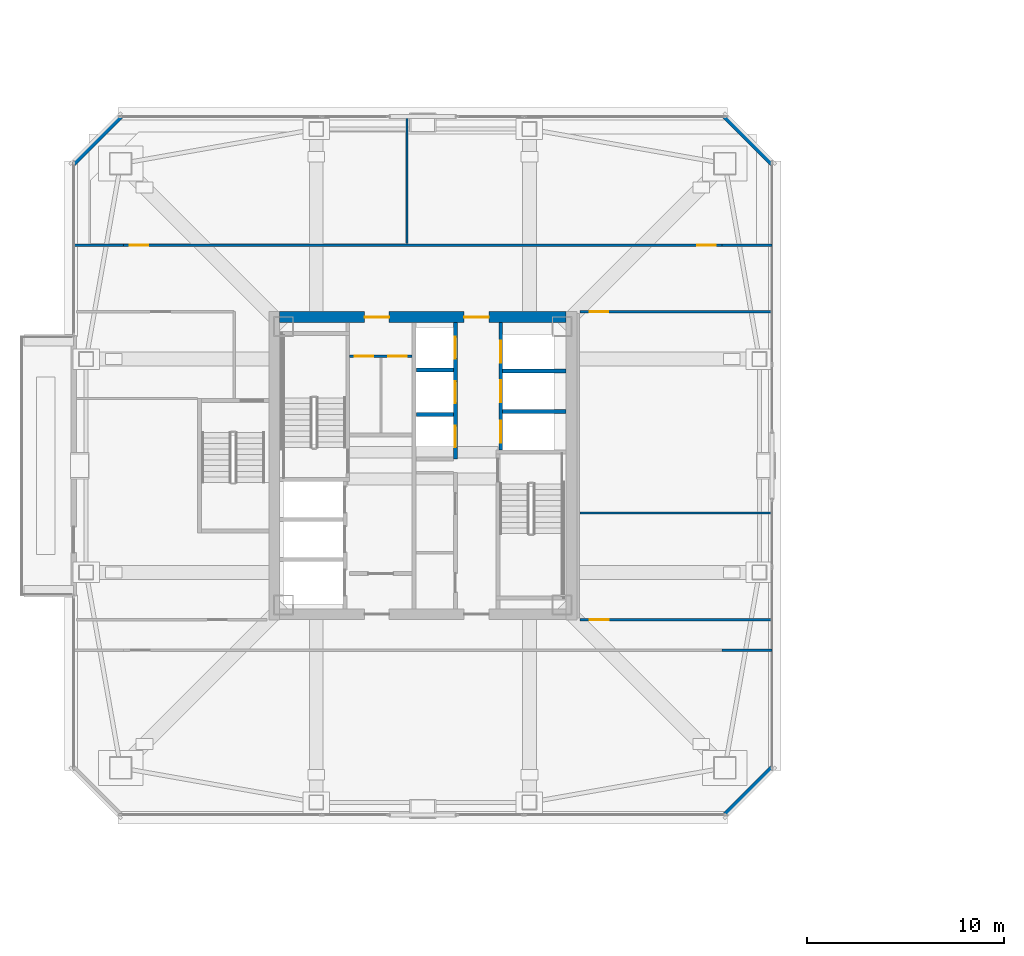
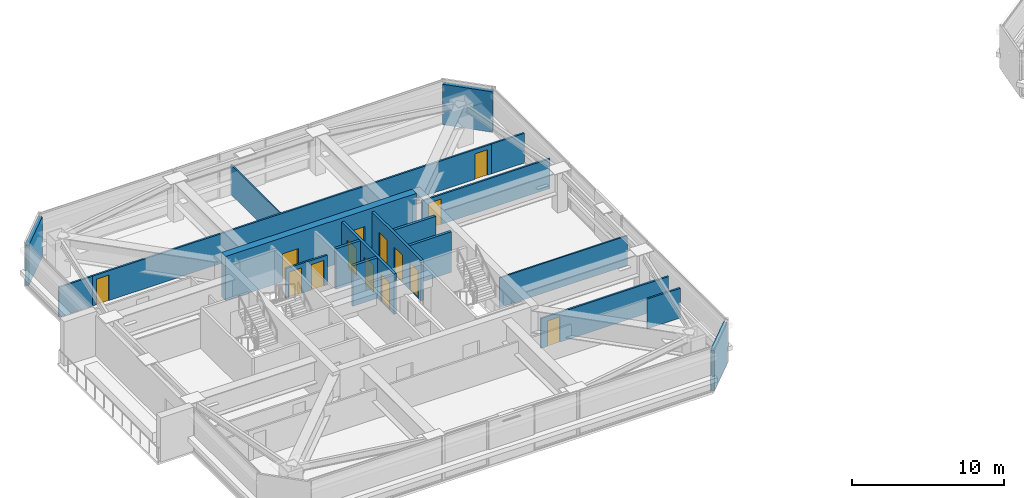
# One storey, part 33 of 42: 19 walls, 14 doors, 14 openings.
"""IFC4 building model written with IfcOpenShell, lengths in metres."""

import ifcopenshell
import ifcopenshell.guid

model = None  # the IFC model being written
_history = None  # IfcOwnerHistory: only IFC2X3 demands one
_inside = {}  # id of a spatial element -> (the spatial element, [elements in it])
_under = {}  # id of a project, library or spatial element -> (it, [spatial elements below it])
_declared = {}  # id of a project -> (the project, [libraries it declares])
_typed = {}  # id of a type object -> (the type object, [elements of that type])
_made_of = {}  # id of a material, layer set ... -> (it, [elements and type objects made of it])


def new_model(schema):
    """Start an empty IFC model of exactly this schema.

    Asked for "IFC4X3", IfcOpenShell would pick the latest addendum, in which some entities
    have other attributes; the version numbers below select the first issue.
    IFC2X3 requires an IfcOwnerHistory on every rooted entity: one is made here for all.
    """
    global model, _history
    if schema == "IFC4X3":
        model = ifcopenshell.file(schema_version=(4, 3, 0, 0))
    else:
        model = ifcopenshell.file(schema=schema)
    _inside.clear()
    _under.clear()
    _declared.clear()
    _typed.clear()
    _made_of.clear()
    _history = None
    if model.schema == "IFC2X3":
        org = make("IfcOrganization", Name="unknown")
        user = make(
            "IfcPersonAndOrganization",
            ThePerson=make("IfcPerson", FamilyName="unknown"),
            TheOrganization=org,
        )
        app = make(
            "IfcApplication",
            ApplicationDeveloper=org,
            Version="unknown",
            ApplicationFullName="unknown",
            ApplicationIdentifier="unknown",
        )
        _history = make(
            "IfcOwnerHistory",
            OwningUser=user,
            OwningApplication=app,
            ChangeAction="ADDED",
            CreationDate=0,
        )
    return model


def make(cls, **values):
    """One entity of the class cls with the attributes given. An attribute that is None is left unset."""
    return model.create_entity(
        cls, **{name: value for name, value in values.items() if value is not None}
    )


def rooted(cls, **values):
    """An entity with a GlobalId (a new one), such as an element, a storey or a relation."""
    return make(cls, GlobalId=ifcopenshell.guid.new(), OwnerHistory=_history, **values)


def si_unit(unit_type, name, prefix=None):
    """IfcSIUnit, for example si_unit("LENGTHUNIT", "METRE", prefix="MILLI")."""
    return make("IfcSIUnit", UnitType=unit_type, Prefix=prefix, Name=name)


def assignment(units):
    """IfcUnitAssignment: the units of a project."""
    return None if units is None else make("IfcUnitAssignment", Units=units)


def point(xyz):
    """IfcCartesianPoint."""
    return None if xyz is None else make("IfcCartesianPoint", Coordinates=xyz)


def direction(xyz):
    """IfcDirection."""
    return None if xyz is None else make("IfcDirection", DirectionRatios=xyz)


def frame(location, z_axis=None, x_axis=None):
    """IfcAxis2Placement3D, a coordinate frame: its origin and axes. An axis left out is left unset."""
    return make(
        "IfcAxis2Placement3D",
        Location=point(location),
        Axis=direction(z_axis),
        RefDirection=direction(x_axis),
    )


def frame_2d(location, x_axis=None):
    """IfcAxis2Placement2D, a coordinate frame in the plane: its origin and x axis."""
    return make(
        "IfcAxis2Placement2D", Location=point(location), RefDirection=direction(x_axis)
    )


def origin():
    """The frame at (0, 0, 0) with its axes left unset."""
    return frame((0.0, 0.0, 0.0))


def place(relative_to, where):
    """IfcLocalPlacement: puts the frame where relative to a parent placement (None: the world)."""
    return make(
        "IfcLocalPlacement", PlacementRelTo=relative_to, RelativePlacement=where
    )


def context(
    kind, dimensions, precision=None, world=None, true_north=None, identifier=None
):
    """IfcGeometricRepresentationContext, for example the 3D "Model" context."""
    return make(
        "IfcGeometricRepresentationContext",
        ContextIdentifier=identifier,
        ContextType=kind,
        CoordinateSpaceDimension=dimensions,
        Precision=precision,
        WorldCoordinateSystem=world,
        TrueNorth=true_north,
    )


def subcontext(parent, identifier, kind, view, scale=None):
    """IfcGeometricRepresentationSubContext, for example "Body" below "Model"."""
    return make(
        "IfcGeometricRepresentationSubContext",
        ContextIdentifier=identifier,
        ContextType=kind,
        ParentContext=parent,
        TargetScale=scale,
        TargetView=view,
    )


def project(units=None, contexts=None):
    """IfcProject with its units and contexts."""
    return rooted(
        "IfcProject",
        Name="project",
        RepresentationContexts=contexts,
        UnitsInContext=assignment(units),
    )


def spatial(cls, under=None, at=None, **own):
    """A site, building, storey or space (cls), placed at a placement, below another one or the project."""
    s = rooted(cls, ObjectPlacement=at, **own)
    if under is not None:
        _under.setdefault(under.id(), (under, []))[1].append(s)
    return s


def profile(cls, at=None, kind="AREA", **sizes):
    """A parametric profile (cls). Its sizes go by their IFC names, for example OverallWidth=200.0."""
    return make(cls, ProfileType=kind, Position=at, **sizes)


def rectangle(**sizes):
    """IfcRectangleProfileDef."""
    return profile("IfcRectangleProfileDef", **sizes)


def extrude(swept, where, along, depth):
    """IfcExtrudedAreaSolid: the profile swept, set in the frame where, extruded along a direction by depth."""
    return make(
        "IfcExtrudedAreaSolid",
        SweptArea=swept,
        Position=where,
        ExtrudedDirection=direction(along),
        Depth=depth,
    )


def shape(context_of_items, identifier, shape_type, items):
    """IfcShapeRepresentation: the items that make up one representation, for example the "Body"."""
    return make(
        "IfcShapeRepresentation",
        ContextOfItems=context_of_items,
        RepresentationIdentifier=identifier,
        RepresentationType=shape_type,
        Items=items,
    )


def material(Name=None, Category=None):
    """IfcMaterial."""
    return make("IfcMaterial", Name=Name, Category=Category)


def layer(
    of_material, thickness, ventilated=None, Name=None, Category=None, Priority=None
):
    """IfcMaterialLayer: one layer of a wall or slab, of a material (None: an air gap)."""
    return make(
        "IfcMaterialLayer",
        Material=of_material,
        LayerThickness=thickness,
        IsVentilated=ventilated,
        Name=Name,
        Category=Category,
        Priority=Priority,
    )


def layer_set(layers, Name=None):
    """IfcMaterialLayerSet."""
    return make("IfcMaterialLayerSet", MaterialLayers=layers, LayerSetName=Name)


def made_of(thing, what):
    """Note that an element or type object is made of a material, layer set ...; save() writes the relation."""
    if what is not None:
        _made_of.setdefault(what.id(), (what, []))[1].append(thing)
    return thing


def type_object(cls, material=None, **own):
    """A type object (cls), such as IfcWallType, which elements share."""
    return made_of(rooted(cls, **own), material)


def element(
    cls,
    number,
    at=None,
    inside=None,
    cuts=None,
    type_object=None,
    material=None,
    context=None,
    identifier="Body",
    shape_type=None,
    held_by="IfcProductDefinitionShape",
    body=None,
    shapes=None,
    **own,
):
    """One element of the class cls, such as IfcWall. Its Tag is "e" and its number.

    at: its placement. inside: the storey or other place that contains it. cuts: it is an
    opening in that element (IfcRelVoidsElement). A single representation is given by context,
    identifier, shape_type and body (its items); several are given by shapes. held_by: the class
    of the entity that holds the representations. save() writes the other relations.
    """
    e = rooted(cls, Tag="e%d" % number, ObjectPlacement=at, **own)
    if body is not None:
        shapes = [shape(context, identifier, shape_type, body)]
    if shapes is not None:
        e.Representation = make(held_by, Representations=shapes)
    if inside is not None:
        _inside.setdefault(inside.id(), (inside, []))[1].append(e)
    if cuts is not None:
        rooted(
            "IfcRelVoidsElement", RelatingBuildingElement=cuts, RelatedOpeningElement=e
        )
    if type_object is not None:
        _typed.setdefault(type_object.id(), (type_object, []))[1].append(e)
    return made_of(e, material)


def fill(opening, filler):
    """IfcRelFillsElement: the door or window that sits in an opening."""
    return rooted(
        "IfcRelFillsElement",
        RelatingOpeningElement=opening,
        RelatedBuildingElement=filler,
    )


def aggregate(whole, parts):
    """IfcRelAggregates: a whole, such as a stair, and the parts it consists of."""
    return rooted("IfcRelAggregates", RelatingObject=whole, RelatedObjects=parts)


def save(model, path):
    """Write the relations noted so far, then the file.

    IfcRelAggregates (storeys below a building ...), IfcRelContainedInSpatialStructure (elements
    in a storey), IfcRelDefinesByType, IfcRelAssociatesMaterial and IfcRelDeclares: one each for
    every whole, place, type object, material and project.
    """
    for whole, parts in _under.values():
        aggregate(whole, parts)
    for where, things in _inside.values():
        rooted(
            "IfcRelContainedInSpatialStructure",
            RelatedElements=things,
            RelatingStructure=where,
        )
    for kind, things in _typed.values():
        rooted("IfcRelDefinesByType", RelatedObjects=things, RelatingType=kind)
    for what, things in _made_of.values():
        rooted("IfcRelAssociatesMaterial", RelatedObjects=things, RelatingMaterial=what)
    for by, libraries in _declared.values():
        rooted("IfcRelDeclares", RelatingContext=by, RelatedDefinitions=libraries)
    model.write(path)


model = new_model("IFC4")

# Units and contexts
model_context = context("Model", 3, precision=1e-05, world=origin(), true_north=direction((0.0, 1.0)))
body_context = subcontext(model_context, "Body", "Model", "MODEL_VIEW")
ifc_project = project(units=[si_unit("LENGTHUNIT", "METRE"), si_unit("AREAUNIT", "SQUARE_METRE"), si_unit("VOLUMEUNIT", "CUBIC_METRE"), si_unit("PLANEANGLEUNIT", "RADIAN"), si_unit("MASSUNIT", "GRAM", prefix="KILO")], contexts=[model_context])

# Site, building, storey
site_placement = place(None, origin())
site = spatial("IfcSite", under=ifc_project, at=site_placement, CompositionType="ELEMENT")
building_placement = place(site_placement, origin())
building = spatial("IfcBuilding", under=site, at=building_placement, Name="Tashvorn Skyway Center", CompositionType="ELEMENT")
storey_placement = place(building_placement, frame((0.0, 0.0, 196.050048828125)))
storey = spatial("IfcBuildingStorey", under=building, at=storey_placement, Name="L53", CompositionType="ELEMENT", Elevation=196.050048828125)

# Wall, openings, doors
ifc_material_1 = material(Name="Concrete C60/75", Category="concrete")
ifc_layer_1 = layer(ifc_material_1, 0.550048828125)
ifc_layer_set_1 = layer_set([ifc_layer_1], Name="Concrete C60/75")
wall_type_1 = type_object("IfcWallType", Name="WALL-CORE-550", PredefinedType="SHEAR", material=ifc_layer_set_1)
wall_1_placement = place(storey_placement, frame((34.75, 39.52490234375, 0.0), z_axis=(0.0, 0.0, 1.0), x_axis=(1.0, 0.0, 0.0)))
wall_1 = element("IfcWall", 1, at=wall_1_placement, inside=storey, type_object=wall_type_1, Name="Tower 1 L53 North Core Shear Wall", PredefinedType="SHEAR", context=body_context, shape_type="SweptSolid", body=[
    extrude(rectangle(XDim=14.5, YDim=0.550048828125, at=frame_2d((7.25, 0.0))), origin(), (0.0, 0.0, 1.0), 3.550048828125),
])
opening_1_placement = place(wall_1_placement, frame((4.300048828125, 0.0, 0.0)))
opening_1 = element("IfcOpeningElement", 2, at=opening_1_placement, cuts=wall_1, Name="Opening D-FFL-1250", PredefinedType="OPENING", context=body_context, shape_type="SweptSolid", body=[
    extrude(rectangle(XDim=1.25, YDim=2.25, at=frame_2d((0.625, 1.125))), frame((0.0, 0.284912109375, 0.0), z_axis=(0.0, -1.0, 0.0), x_axis=(1.0, 0.0, 0.0)), (0.0, 0.0, 1.0), 0.570068359375),
])
opening_2_placement = place(wall_1_placement, frame((9.35009765625, 0.0, 0.0)))
opening_2 = element("IfcOpeningElement", 3, at=opening_2_placement, cuts=wall_1, Name="Opening D-FFL-1250", PredefinedType="OPENING", context=body_context, shape_type="SweptSolid", body=[
    extrude(rectangle(XDim=1.25, YDim=2.25, at=frame_2d((0.625, 1.125))), frame((0.0, 0.284912109375, 0.0), z_axis=(0.0, -1.0, 0.0), x_axis=(1.0, 0.0, 0.0)), (0.0, 0.0, 1.0), 0.570068359375),
])
ifc_material_2 = material(Name="Hollow galvanized steel fire door assembly", Category="steel")
door_type_1 = type_object("IfcDoorType", Name="DOOR-FFL-1250", OperationType="NOTDEFINED", PredefinedType="DOOR", material=ifc_material_2)
door_1_placement = place(opening_1_placement, origin())
door_1 = element("IfcDoor", 4, at=door_1_placement, inside=storey, type_object=door_type_1, Name="Tower 1 L53 Core North Service Lobby Door", OperationType="SINGLE_SWING_LEFT", OverallHeight=2.25, OverallWidth=1.25, PredefinedType="DOOR", context=body_context, shape_type="SweptSolid", body=[
    extrude(rectangle(XDim=1.25, YDim=2.25, at=frame_2d((0.625, 1.125))), frame((0.0, 0.02490234375, 0.0), z_axis=(0.0, -1.0, 0.0), x_axis=(1.0, 0.0, 0.0)), (0.0, 0.0, 1.0), 0.050048828125),
])
fill(opening_1, door_1)
door_2_placement = place(opening_2_placement, origin())
door_2 = element("IfcDoor", 5, at=door_2_placement, inside=storey, type_object=door_type_1, Name="Tower 1 L53 Core North Lift Lobby Door", OperationType="SINGLE_SWING_RIGHT", OverallHeight=2.25, OverallWidth=1.25, PredefinedType="DOOR", context=body_context, shape_type="SweptSolid", body=[
    extrude(rectangle(XDim=1.25, YDim=2.25, at=frame_2d((0.625, 1.125))), frame((0.0, 0.02490234375, 0.0), z_axis=(0.0, -1.0, 0.0), x_axis=(1.0, 0.0, 0.0)), (0.0, 0.0, 1.0), 0.050048828125),
])
fill(opening_2, door_2)

# Walls
ifc_material_3 = material(Name="Precast concrete C40/50", Category="concrete")
ifc_layer_2 = layer(ifc_material_3, 0.280029296875)
ifc_layer_set_2 = layer_set([ifc_layer_2], Name="Precast concrete C40/50")
wall_type_2 = type_object("IfcWallType", Name="WALL-EXT-280", PredefinedType="SOLIDWALL", material=ifc_layer_set_2)
for number, where, z_axis, x_axis, name in (
    (6, (24.300048828125, 47.300048828125, 0.0), (0.0, 0.0, 1.0), (0.707106781187, 0.707106781187, 0.0), "Tower 1 L53 NW Precast Chamfer Wall"),
    (7, (57.300048828125, 49.699951171875, 0.0), (0.0, 0.0, 1.0), (0.707106781187, -0.707106781187, 0.0), "Tower 1 L53 NE Precast Chamfer Wall"),
    (8, (59.699951171875, 16.699951171875, 0.0), (0.0, 0.0, 1.0), (-0.707106781187, -0.707106781187, 0.0), "Tower 1 L53 SE Precast Chamfer Wall"),
):
    element("IfcWall", number, at=place(storey_placement, frame(where, z_axis=z_axis, x_axis=x_axis)), inside=storey, type_object=wall_type_2, Name=name, PredefinedType="SOLIDWALL", context=body_context, shape_type="SweptSolid", body=[
        extrude(rectangle(XDim=3.39404296875, YDim=0.280029296875, at=frame_2d((1.697021484375, 0.0))), origin(), (0.0, 0.0, 1.0), 3.25),
    ])
ifc_material_4 = material(Name="Gypsum board on cold-formed steel stud framing", Category="steel")
ifc_layer_3 = layer(ifc_material_4, 0.110107421875)
ifc_layer_set_3 = layer_set([ifc_layer_3], Name="Gypsum board on cold-formed steel stud framing")
wall_type_3 = type_object("IfcWallType", Name="WALL-PART-110", PredefinedType="PARTITIONING", material=ifc_layer_set_3)
wall_2_placement = place(storey_placement, frame((41.199951171875, 43.25, 0.0), z_axis=(0.0, 0.0, 1.0), x_axis=(0.0, 1.0, 0.0)))
element("IfcWall", 9, at=wall_2_placement, inside=storey, type_object=wall_type_3, Name="Tower 1 L53 North Suite Partition 1", PredefinedType="PARTITIONING", context=body_context, shape_type="SweptSolid", body=[
    extrude(rectangle(XDim=6.429931640625, YDim=0.110107421875, at=frame_2d((3.21484375, 0.0))), origin(), (0.0, 0.0, 1.0), 2.39306640625),
])
wall_3_placement = place(storey_placement, frame((49.9599609375, 29.60009765625, 0.0), z_axis=(0.0, 0.0, 1.0), x_axis=(1.0, 0.0, 0.0)))
element("IfcWall", 10, at=wall_3_placement, inside=storey, type_object=wall_type_3, Name="Tower 1 L53 East Mid Partition", PredefinedType="PARTITIONING", context=body_context, shape_type="SweptSolid", body=[
    extrude(rectangle(XDim=9.719970703125, YDim=0.110107421875, at=frame_2d((4.85986328125, 0.0))), origin(), (0.0, 0.0, 1.0), 2.39306640625),
])

# Wall, openings, doors
ifc_layer_4 = layer(ifc_material_4, 0.135009765625)
ifc_layer_set_4 = layer_set([ifc_layer_4], Name="Gypsum board on cold-formed steel stud framing")
wall_type_4 = type_object("IfcWallType", Name="WALL-PART-135", PredefinedType="PARTITIONING", material=ifc_layer_set_4)
wall_4_placement = place(storey_placement, frame((26.85009765625, 43.169921875, 0.0), z_axis=(0.0, 0.0, 1.0), x_axis=(1.0, 0.0, 0.0)))
wall_4 = element("IfcWall", 11, at=wall_4_placement, inside=storey, type_object=wall_type_4, Name="Tower 1 L53 North Suite Wall", PredefinedType="PARTITIONING", context=body_context, shape_type="SweptSolid", body=[
    extrude(rectangle(XDim=30.2998046875, YDim=0.135009765625, at=frame_2d((15.14990234375, 0.0))), origin(), (0.0, 0.0, 1.0), 2.39306640625),
])
opening_3_placement = place(wall_4_placement, frame((0.300048828125, 0.0, 0.0)))
opening_3 = element("IfcOpeningElement", 12, at=opening_3_placement, cuts=wall_4, Name="Opening D-INT-950", PredefinedType="OPENING", context=body_context, shape_type="SweptSolid", body=[
    extrude(rectangle(XDim=0.949951171875, YDim=2.050048828125, at=frame_2d((0.47509765625, 1.02490234375))), frame((0.0, 0.077392578125, 0.0), z_axis=(0.0, -1.0, 0.0), x_axis=(1.0, 0.0, 0.0)), (0.0, 0.0, 1.0), 0.155029296875),
])
opening_4_placement = place(wall_4_placement, frame((29.050048828125, 0.0, 0.0)))
opening_4 = element("IfcOpeningElement", 13, at=opening_4_placement, cuts=wall_4, Name="Opening D-INT-950", PredefinedType="OPENING", context=body_context, shape_type="SweptSolid", body=[
    extrude(rectangle(XDim=0.949951171875, YDim=2.050048828125, at=frame_2d((0.47509765625, 1.02490234375))), frame((0.0, 0.077392578125, 0.0), z_axis=(0.0, -1.0, 0.0), x_axis=(1.0, 0.0, 0.0)), (0.0, 0.0, 1.0), 0.155029296875),
])
ifc_material_5 = material(Name="Solid-core architectural oak veneer door")
door_type_2 = type_object("IfcDoorType", Name="DOOR-INT-950", OperationType="NOTDEFINED", PredefinedType="DOOR", material=ifc_material_5)
door_3_placement = place(opening_3_placement, origin())
door_3 = element("IfcDoor", 14, at=door_3_placement, inside=storey, type_object=door_type_2, Name="Tower 1 L53 Gallery Showroom Door", OperationType="SINGLE_SWING_RIGHT", OverallHeight=2.050048828125, OverallWidth=0.949951171875, PredefinedType="DOOR", context=body_context, shape_type="SweptSolid", body=[
    extrude(rectangle(XDim=0.949951171875, YDim=2.050048828125, at=frame_2d((0.47509765625, 1.02490234375))), frame((0.0, 0.02490234375, 0.0), z_axis=(0.0, -1.0, 0.0), x_axis=(1.0, 0.0, 0.0)), (0.0, 0.0, 1.0), 0.050048828125),
])
fill(opening_3, door_3)
door_4_placement = place(opening_4_placement, origin())
door_4 = element("IfcDoor", 15, at=door_4_placement, inside=storey, type_object=door_type_2, Name="Tower 1 L53 Gallery Showroom Door", OperationType="SINGLE_SWING_LEFT", OverallHeight=2.050048828125, OverallWidth=0.949951171875, PredefinedType="DOOR", context=body_context, shape_type="SweptSolid", body=[
    extrude(rectangle(XDim=0.949951171875, YDim=2.050048828125, at=frame_2d((0.47509765625, 1.02490234375))), frame((0.0, 0.02490234375, 0.0), z_axis=(0.0, -1.0, 0.0), x_axis=(1.0, 0.0, 0.0)), (0.0, 0.0, 1.0), 0.050048828125),
])
fill(opening_4, door_4)

# Walls
for number, where, z_axis, x_axis, name in (
    (16, (24.320068359375, 43.169921875, 0.0), (0.0, 0.0, 1.0), (1.0, 0.0, 0.0), "Tower 1 L53 North-West Suite South Wall"),
    (17, (57.14990234375, 43.169921875, 0.0), (0.0, 0.0, 1.0), (1.0, 0.0, 0.0), "Tower 1 L53 North-East Suite South Wall"),
    (18, (57.14990234375, 22.64990234375, 0.0), (0.0, 0.0, 1.0), (1.0, 0.0, 0.0), "Tower 1 L53 South-East Suite North Wall"),
):
    element("IfcWall", number, at=place(storey_placement, frame(where, z_axis=z_axis, x_axis=x_axis)), inside=storey, type_object=wall_type_4, Name=name, PredefinedType="PARTITIONING", context=body_context, shape_type="SweptSolid", body=[
        extrude(rectangle(XDim=2.530029296875, YDim=0.135009765625, at=frame_2d((1.26513671875, 0.0))), origin(), (0.0, 0.0, 1.0), 2.39306640625),
    ])

# Wall, opening, door
wall_5_placement = place(storey_placement, frame((59.679931640625, 39.800048828125, 0.0), z_axis=(0.0, 0.0, 1.0), x_axis=(-1.0, 0.0, 0.0)))
wall_5 = element("IfcWall", 19, at=wall_5_placement, inside=storey, type_object=wall_type_4, Name="Tower 1 L53 East Suite North Wall", PredefinedType="PARTITIONING", context=body_context, shape_type="SweptSolid", body=[
    extrude(rectangle(XDim=9.719970703125, YDim=0.135009765625, at=frame_2d((4.85986328125, 0.0))), origin(), (0.0, 0.0, 1.0), 2.39306640625),
])
opening_5_placement = place(wall_5_placement, frame((8.280029296875, 0.0, 0.0)))
opening_5 = element("IfcOpeningElement", 20, at=opening_5_placement, cuts=wall_5, Name="Opening D-INT-950", PredefinedType="OPENING", context=body_context, shape_type="SweptSolid", body=[
    extrude(rectangle(XDim=0.949951171875, YDim=2.050048828125, at=frame_2d((0.47509765625, 1.02490234375))), frame((0.0, 0.077392578125, 0.0), z_axis=(0.0, -1.0, 0.0), x_axis=(1.0, 0.0, 0.0)), (0.0, 0.0, 1.0), 0.155029296875),
])
door_5_placement = place(opening_5_placement, origin())
door_5 = element("IfcDoor", 21, at=door_5_placement, inside=storey, type_object=door_type_2, Name="Tower 1 L53 Conference Room Door", OperationType="SINGLE_SWING_LEFT", OverallHeight=2.050048828125, OverallWidth=0.949951171875, PredefinedType="DOOR", context=body_context, shape_type="SweptSolid", body=[
    extrude(rectangle(XDim=0.949951171875, YDim=2.050048828125, at=frame_2d((0.47509765625, 1.02490234375))), frame((0.0, 0.02490234375, 0.0), z_axis=(0.0, -1.0, 0.0), x_axis=(1.0, 0.0, 0.0)), (0.0, 0.0, 1.0), 0.050048828125),
])
fill(opening_5, door_5)

wall_6_placement = place(storey_placement, frame((49.9599609375, 24.199951171875, 0.0), z_axis=(0.0, 0.0, 1.0), x_axis=(1.0, 0.0, 0.0)))
wall_6 = element("IfcWall", 22, at=wall_6_placement, inside=storey, type_object=wall_type_4, Name="Tower 1 L53 East Suite South Wall", PredefinedType="PARTITIONING", context=body_context, shape_type="SweptSolid", body=[
    extrude(rectangle(XDim=9.719970703125, YDim=0.135009765625, at=frame_2d((4.85986328125, 0.0))), origin(), (0.0, 0.0, 1.0), 2.39306640625),
])
opening_6_placement = place(wall_6_placement, frame((0.5, 0.0, 0.0)))
opening_6 = element("IfcOpeningElement", 23, at=opening_6_placement, cuts=wall_6, Name="Opening D-INT-950", PredefinedType="OPENING", context=body_context, shape_type="SweptSolid", body=[
    extrude(rectangle(XDim=0.949951171875, YDim=2.050048828125, at=frame_2d((0.47509765625, 1.02490234375))), frame((0.0, 0.077392578125, 0.0), z_axis=(0.0, -1.0, 0.0), x_axis=(1.0, 0.0, 0.0)), (0.0, 0.0, 1.0), 0.155029296875),
])
door_6_placement = place(opening_6_placement, origin())
door_6 = element("IfcDoor", 24, at=door_6_placement, inside=storey, type_object=door_type_2, Name="Tower 1 L53 Public Restroom Door", OperationType="SINGLE_SWING_RIGHT", OverallHeight=2.050048828125, OverallWidth=0.949951171875, PredefinedType="DOOR", context=body_context, shape_type="SweptSolid", body=[
    extrude(rectangle(XDim=0.949951171875, YDim=2.050048828125, at=frame_2d((0.47509765625, 1.02490234375))), frame((0.0, 0.02490234375, 0.0), z_axis=(0.0, -1.0, 0.0), x_axis=(1.0, 0.0, 0.0)), (0.0, 0.0, 1.0), 0.050048828125),
])
fill(opening_6, door_6)

# Wall, openings, doors
ifc_layer_5 = layer(ifc_material_4, 0.135009765625)
ifc_layer_set_5 = layer_set([ifc_layer_5], Name="Gypsum board on cold-formed steel stud framing")
wall_type_5 = type_object("IfcWallType", Name="WALL-RATED-135", PredefinedType="PARTITIONING", material=ifc_layer_set_5)
wall_7_placement = place(storey_placement, frame((38.300048828125, 37.550048828125, 0.0), z_axis=(0.0, 0.0, 1.0), x_axis=(1.0, 0.0, 0.0)))
wall_7 = element("IfcWall", 25, at=wall_7_placement, inside=storey, type_object=wall_type_5, Name="Tower 1 L53 Core Service Lobby Wall", PredefinedType="PARTITIONING", context=body_context, shape_type="SweptSolid", body=[
    extrude(rectangle(XDim=3.14990234375, YDim=0.135009765625, at=frame_2d((1.574951171875, 0.0))), origin(), (0.0, 0.0, 1.0), 2.39306640625),
])
opening_7_placement = place(wall_7_placement, frame((0.25, 0.0, 0.0)))
opening_7 = element("IfcOpeningElement", 26, at=opening_7_placement, cuts=wall_7, Name="Opening D-RT-950", PredefinedType="OPENING", context=body_context, shape_type="SweptSolid", body=[
    extrude(rectangle(XDim=0.949951171875, YDim=2.050048828125, at=frame_2d((0.47509765625, 1.02490234375))), frame((0.0, 0.077392578125, 0.0), z_axis=(0.0, -1.0, 0.0), x_axis=(1.0, 0.0, 0.0)), (0.0, 0.0, 1.0), 0.155029296875),
])
opening_8_placement = place(wall_7_placement, frame((1.949951171875, 0.0, 0.0)))
opening_8 = element("IfcOpeningElement", 27, at=opening_8_placement, cuts=wall_7, Name="Opening D-RT-950", PredefinedType="OPENING", context=body_context, shape_type="SweptSolid", body=[
    extrude(rectangle(XDim=0.949951171875, YDim=2.050048828125, at=frame_2d((0.47509765625, 1.02490234375))), frame((0.0, 0.077392578125, 0.0), z_axis=(0.0, -1.0, 0.0), x_axis=(1.0, 0.0, 0.0)), (0.0, 0.0, 1.0), 0.155029296875),
])
door_type_3 = type_object("IfcDoorType", Name="DOOR-RATED-950", OperationType="NOTDEFINED", PredefinedType="DOOR", material=ifc_material_2)
door_7_placement = place(opening_7_placement, origin())
door_7 = element("IfcDoor", 28, at=door_7_placement, inside=storey, type_object=door_type_3, Name="Tower 1 L53 Core Accessible WC Door", OperationType="SINGLE_SWING_LEFT", OverallHeight=2.050048828125, OverallWidth=0.949951171875, PredefinedType="DOOR", context=body_context, shape_type="SweptSolid", body=[
    extrude(rectangle(XDim=0.949951171875, YDim=2.050048828125, at=frame_2d((0.47509765625, 1.02490234375))), frame((0.0, 0.02490234375, 0.0), z_axis=(0.0, -1.0, 0.0), x_axis=(1.0, 0.0, 0.0)), (0.0, 0.0, 1.0), 0.050048828125),
])
fill(opening_7, door_7)
door_8_placement = place(opening_8_placement, origin())
door_8 = element("IfcDoor", 29, at=door_8_placement, inside=storey, type_object=door_type_3, Name="Tower 1 L53 Core Cleaner Store Door", OperationType="SINGLE_SWING_RIGHT", OverallHeight=2.050048828125, OverallWidth=0.949951171875, PredefinedType="DOOR", context=body_context, shape_type="SweptSolid", body=[
    extrude(rectangle(XDim=0.949951171875, YDim=2.050048828125, at=frame_2d((0.47509765625, 1.02490234375))), frame((0.0, 0.02490234375, 0.0), z_axis=(0.0, -1.0, 0.0), x_axis=(1.0, 0.0, 0.0)), (0.0, 0.0, 1.0), 0.050048828125),
])
fill(opening_8, door_8)

# Walls
ifc_material_6 = material(Name="Concrete C40/50", Category="concrete")
ifc_layer_6 = layer(ifc_material_6, 0.199951171875)
ifc_layer_set_6 = layer_set([ifc_layer_6], Name="Concrete C40/50")
wall_type_6 = type_object("IfcWallType", Name="WALL-SHAFT-200", PredefinedType="SOLIDWALL", material=ifc_layer_set_6)
for number, where, z_axis, x_axis, name in (
    (30, (46.050048828125, 34.75, 0.0), (0.0, 0.0, 1.0), (1.0, 0.0, 0.0), "Tower 1 L53 High-Rise Shaft Divider"),
    (31, (46.050048828125, 36.800048828125, 0.0), (0.0, 0.0, 1.0), (1.0, 0.0, 0.0), "Tower 1 L53 High-Rise Shaft Divider"),
):
    element("IfcWall", number, at=place(storey_placement, frame(where, z_axis=z_axis, x_axis=x_axis)), inside=storey, type_object=wall_type_6, Name=name, PredefinedType="SOLIDWALL", context=body_context, shape_type="SweptSolid", body=[
        extrude(rectangle(XDim=3.199951171875, YDim=0.199951171875, at=frame_2d((1.60009765625, 0.0))), origin(), (0.0, 0.0, 1.0), 3.25),
    ])

# Wall, openings, doors
wall_8_placement = place(storey_placement, frame((43.64990234375, 32.35009765625, 0.0), z_axis=(0.0, 0.0, 1.0), x_axis=(0.0, 1.0, 0.0)))
wall_8 = element("IfcWall", 32, at=wall_8_placement, inside=storey, type_object=wall_type_6, Name="Tower 1 L53 Mid-Rise Core Wall", PredefinedType="SOLIDWALL", context=body_context, shape_type="SweptSolid", body=[
    extrude(rectangle(XDim=6.89990234375, YDim=0.199951171875, at=frame_2d((3.449951171875, 0.0))), origin(), (0.0, 0.0, 1.0), 3.25),
])
opening_9_placement = place(wall_8_placement, frame((0.574951171875, 0.0, 0.0)))
opening_9 = element("IfcOpeningElement", 33, at=opening_9_placement, cuts=wall_8, Name="Opening LD-MR-T1-1-L53", PredefinedType="OPENING", context=body_context, shape_type="SweptSolid", body=[
    extrude(rectangle(XDim=1.10009765625, YDim=2.199951171875, at=frame_2d((0.550048828125, 1.10009765625))), frame((0.0, 0.10986328125, 0.0), z_axis=(0.0, -1.0, 0.0), x_axis=(1.0, 0.0, 0.0)), (0.0, 0.0, 1.0), 0.219970703125),
])
opening_10_placement = place(wall_8_placement, frame((2.824951171875, 0.0, 0.0)))
opening_10 = element("IfcOpeningElement", 34, at=opening_10_placement, cuts=wall_8, Name="Opening LD-MR-T1-2-L53", PredefinedType="OPENING", context=body_context, shape_type="SweptSolid", body=[
    extrude(rectangle(XDim=1.10009765625, YDim=2.199951171875, at=frame_2d((0.550048828125, 1.10009765625))), frame((0.0, 0.10986328125, 0.0), z_axis=(0.0, -1.0, 0.0), x_axis=(1.0, 0.0, 0.0)), (0.0, 0.0, 1.0), 0.219970703125),
])
opening_11_placement = place(wall_8_placement, frame((5.074951171875, 0.0, 0.0)))
opening_11 = element("IfcOpeningElement", 35, at=opening_11_placement, cuts=wall_8, Name="Opening LD-MR-T1-3-L53", PredefinedType="OPENING", context=body_context, shape_type="SweptSolid", body=[
    extrude(rectangle(XDim=1.10009765625, YDim=2.199951171875, at=frame_2d((0.550048828125, 1.10009765625))), frame((0.0, 0.10986328125, 0.0), z_axis=(0.0, -1.0, 0.0), x_axis=(1.0, 0.0, 0.0)), (0.0, 0.0, 1.0), 0.219970703125),
])
ifc_material_7 = material(Name="Stainless steel landing door", Category="steel")
door_type_4 = type_object("IfcDoorType", Name="DOOR-LIFT-1100", OperationType="SLIDING_TO_LEFT", PredefinedType="DOOR", material=ifc_material_7)
door_9_placement = place(opening_9_placement, origin())
door_9 = element("IfcDoor", 36, at=door_9_placement, inside=storey, type_object=door_type_4, Name="Lift MR-T1-1 L53 Landing Door", OperationType="SLIDING_TO_LEFT", OverallHeight=2.199951171875, OverallWidth=1.10009765625, PredefinedType="DOOR", context=body_context, shape_type="SweptSolid", body=[
    extrude(rectangle(XDim=1.10009765625, YDim=2.199951171875, at=frame_2d((0.550048828125, 1.10009765625))), frame((0.0, 0.02490234375, 0.0), z_axis=(0.0, -1.0, 0.0), x_axis=(1.0, 0.0, 0.0)), (0.0, 0.0, 1.0), 0.050048828125),
])
fill(opening_9, door_9)
door_10_placement = place(opening_10_placement, origin())
door_10 = element("IfcDoor", 37, at=door_10_placement, inside=storey, type_object=door_type_4, Name="Lift MR-T1-2 L53 Landing Door", OperationType="SLIDING_TO_LEFT", OverallHeight=2.199951171875, OverallWidth=1.10009765625, PredefinedType="DOOR", context=body_context, shape_type="SweptSolid", body=[
    extrude(rectangle(XDim=1.10009765625, YDim=2.199951171875, at=frame_2d((0.550048828125, 1.10009765625))), frame((0.0, 0.02490234375, 0.0), z_axis=(0.0, -1.0, 0.0), x_axis=(1.0, 0.0, 0.0)), (0.0, 0.0, 1.0), 0.050048828125),
])
fill(opening_10, door_10)
door_11_placement = place(opening_11_placement, origin())
door_11 = element("IfcDoor", 38, at=door_11_placement, inside=storey, type_object=door_type_4, Name="Lift MR-T1-3 L53 Landing Door", OperationType="SLIDING_TO_LEFT", OverallHeight=2.199951171875, OverallWidth=1.10009765625, PredefinedType="DOOR", context=body_context, shape_type="SweptSolid", body=[
    extrude(rectangle(XDim=1.10009765625, YDim=2.199951171875, at=frame_2d((0.550048828125, 1.10009765625))), frame((0.0, 0.02490234375, 0.0), z_axis=(0.0, -1.0, 0.0), x_axis=(1.0, 0.0, 0.0)), (0.0, 0.0, 1.0), 0.050048828125),
])
fill(opening_11, door_11)

# Walls
for number, where, z_axis, x_axis, name in (
    (39, (41.669921875, 34.60009765625, 0.0), (0.0, 0.0, 1.0), (1.0, 0.0, 0.0), "Tower 1 L53 Mid-Rise Shaft Divider"),
    (40, (41.669921875, 36.85009765625, 0.0), (0.0, 0.0, 1.0), (1.0, 0.0, 0.0), "Tower 1 L53 Mid-Rise Shaft Divider"),
):
    element("IfcWall", number, at=place(storey_placement, frame(where, z_axis=z_axis, x_axis=x_axis)), inside=storey, type_object=wall_type_6, Name=name, PredefinedType="SOLIDWALL", context=body_context, shape_type="SweptSolid", body=[
        extrude(rectangle(XDim=1.880126953125, YDim=0.199951171875, at=frame_2d((0.93994140625, 0.0))), origin(), (0.0, 0.0, 1.0), 3.25),
    ])

# Wall, openings, doors
ifc_layer_7 = layer(ifc_material_6, 0.199951171875)
ifc_layer_set_7 = layer_set([ifc_layer_7], Name="Concrete C40/50")
wall_type_7 = type_object("IfcWallType", Name="WALL-STSHF-200", PredefinedType="SHEAR", material=ifc_layer_set_7)
wall_9_placement = place(storey_placement, frame((45.949951171875, 39.25, 0.0), z_axis=(0.0, 0.0, 1.0), x_axis=(0.0, -1.0, 0.0)))
wall_9 = element("IfcWall", 41, at=wall_9_placement, inside=storey, type_object=wall_type_7, Name="Tower 1 L53 High-Rise Lift Shaft Front Wall", PredefinedType="SHEAR", context=body_context, shape_type="SweptSolid", body=[
    extrude(rectangle(XDim=6.449951171875, YDim=0.199951171875, at=frame_2d((3.22509765625, 0.0))), origin(), (0.0, 0.0, 1.0), 3.25),
])
opening_12_placement = place(wall_9_placement, frame((4.97509765625, 0.0, 0.0)))
opening_12 = element("IfcOpeningElement", 42, at=opening_12_placement, cuts=wall_9, Name="Opening LD-HR-T1-1-L53", PredefinedType="OPENING", context=body_context, shape_type="SweptSolid", body=[
    extrude(rectangle(XDim=1.10009765625, YDim=2.199951171875, at=frame_2d((0.550048828125, 1.10009765625))), frame((0.0, 0.10986328125, 0.0), z_axis=(0.0, -1.0, 0.0), x_axis=(1.0, 0.0, 0.0)), (0.0, 0.0, 1.0), 0.219970703125),
])
opening_13_placement = place(wall_9_placement, frame((2.925048828125, 0.0, 0.0)))
opening_13 = element("IfcOpeningElement", 43, at=opening_13_placement, cuts=wall_9, Name="Opening LD-HR-T1-2-L53", PredefinedType="OPENING", context=body_context, shape_type="SweptSolid", body=[
    extrude(rectangle(XDim=1.10009765625, YDim=2.199951171875, at=frame_2d((0.550048828125, 1.10009765625))), frame((0.0, 0.10986328125, 0.0), z_axis=(0.0, -1.0, 0.0), x_axis=(1.0, 0.0, 0.0)), (0.0, 0.0, 1.0), 0.219970703125),
])
opening_14_placement = place(wall_9_placement, frame((0.925048828125, 0.0, 0.0)))
opening_14 = element("IfcOpeningElement", 44, at=opening_14_placement, cuts=wall_9, Name="Opening LD-HR-T1-3-L53", PredefinedType="OPENING", context=body_context, shape_type="SweptSolid", body=[
    extrude(rectangle(XDim=1.10009765625, YDim=2.199951171875, at=frame_2d((0.550048828125, 1.10009765625))), frame((0.0, 0.10986328125, 0.0), z_axis=(0.0, -1.0, 0.0), x_axis=(1.0, 0.0, 0.0)), (0.0, 0.0, 1.0), 0.219970703125),
])
door_12_placement = place(opening_12_placement, origin())
door_12 = element("IfcDoor", 45, at=door_12_placement, inside=storey, type_object=door_type_4, Name="Lift HR-T1-1 L53 Landing Door", OperationType="SLIDING_TO_LEFT", OverallHeight=2.199951171875, OverallWidth=1.10009765625, PredefinedType="DOOR", context=body_context, shape_type="SweptSolid", body=[
    extrude(rectangle(XDim=1.10009765625, YDim=2.199951171875, at=frame_2d((0.550048828125, 1.10009765625))), frame((0.0, 0.02490234375, 0.0), z_axis=(0.0, -1.0, 0.0), x_axis=(1.0, 0.0, 0.0)), (0.0, 0.0, 1.0), 0.050048828125),
])
fill(opening_12, door_12)
door_13_placement = place(opening_13_placement, origin())
door_13 = element("IfcDoor", 46, at=door_13_placement, inside=storey, type_object=door_type_4, Name="Lift HR-T1-2 L53 Landing Door", OperationType="SLIDING_TO_LEFT", OverallHeight=2.199951171875, OverallWidth=1.10009765625, PredefinedType="DOOR", context=body_context, shape_type="SweptSolid", body=[
    extrude(rectangle(XDim=1.10009765625, YDim=2.199951171875, at=frame_2d((0.550048828125, 1.10009765625))), frame((0.0, 0.02490234375, 0.0), z_axis=(0.0, -1.0, 0.0), x_axis=(1.0, 0.0, 0.0)), (0.0, 0.0, 1.0), 0.050048828125),
])
fill(opening_13, door_13)
door_14_placement = place(opening_14_placement, origin())
door_14 = element("IfcDoor", 47, at=door_14_placement, inside=storey, type_object=door_type_4, Name="Lift HR-T1-3 L53 Landing Door", OperationType="SLIDING_TO_LEFT", OverallHeight=2.199951171875, OverallWidth=1.10009765625, PredefinedType="DOOR", context=body_context, shape_type="SweptSolid", body=[
    extrude(rectangle(XDim=1.10009765625, YDim=2.199951171875, at=frame_2d((0.550048828125, 1.10009765625))), frame((0.0, 0.02490234375, 0.0), z_axis=(0.0, -1.0, 0.0), x_axis=(1.0, 0.0, 0.0)), (0.0, 0.0, 1.0), 0.050048828125),
])
fill(opening_14, door_14)

save(model, "model.ifc")
